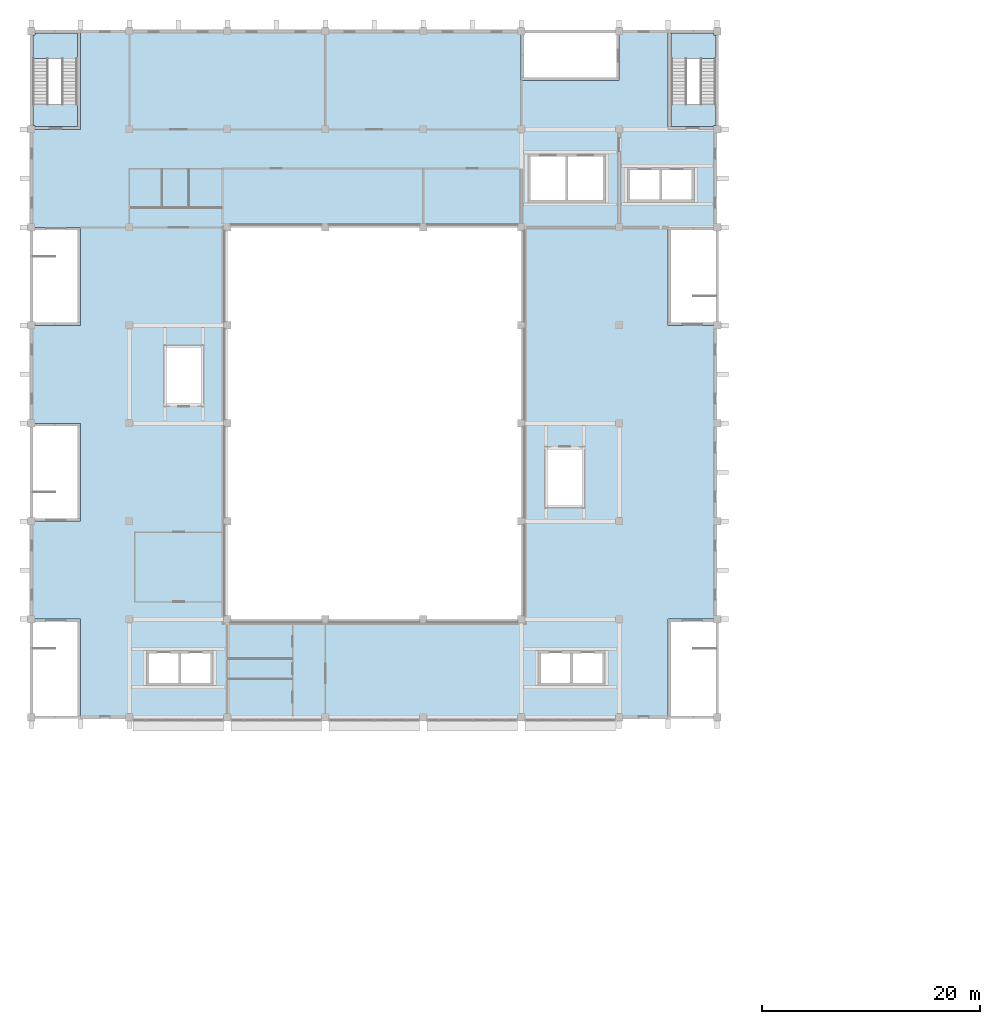
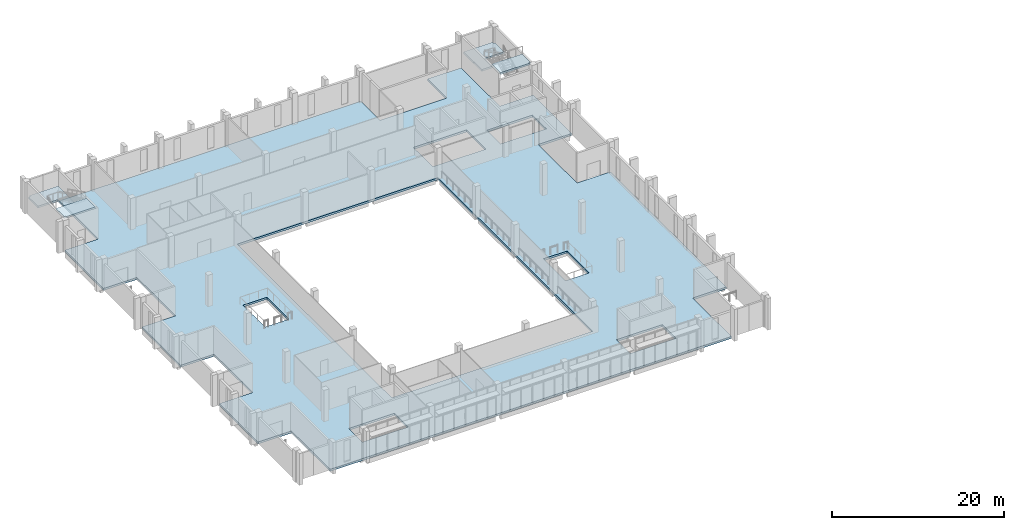
# One storey, part 18 of 40: 5 slabs, 2 elements without a shape of their own.
"""IFC4 building model written with IfcOpenShell, lengths in metres."""

from ifc_helpers import new_model, si_unit, direction, frame, origin, place, context, subcontext, project, spatial, polyline, outline, extrude, material, layer, layer_set, type_object, element, aggregate, save


model = new_model("IFC4")

# Units and contexts
model_context = context("Model", 3, precision=1e-05, world=origin(), true_north=direction((0.0, 1.0)))
body_context = subcontext(model_context, "Body", "Model", "MODEL_VIEW")
ifc_project = project(units=[si_unit("LENGTHUNIT", "METRE"), si_unit("AREAUNIT", "SQUARE_METRE"), si_unit("VOLUMEUNIT", "CUBIC_METRE"), si_unit("PLANEANGLEUNIT", "RADIAN"), si_unit("MASSUNIT", "GRAM", prefix="KILO")], contexts=[model_context])

# Site, building, storey
site_placement = place(None, origin())
site = spatial("IfcSite", under=ifc_project, at=site_placement, CompositionType="ELEMENT")
building_placement = place(site_placement, origin())
building = spatial("IfcBuilding", under=site, at=building_placement, Name="Guidao Yard Department Store", CompositionType="ELEMENT")
storey_placement = place(building_placement, frame((0.0, 0.0, 24.0)))
storey = spatial("IfcBuildingStorey", under=building, at=storey_placement, Name="L05", CompositionType="ELEMENT", Elevation=24.0)

# Slab
ifc_material_1 = material(Name="Concrete C35", Category="concrete")
ifc_layer_1 = layer(ifc_material_1, 0.300048828125)
ifc_layer_set_1 = layer_set([ifc_layer_1], Name="Flat slab 300 C35")
slab_type_1 = type_object("IfcSlabType", Name="Flat slab 300 C35", PredefinedType="FLOOR", material=ifc_layer_set_1)
slab_1_placement = place(storey_placement, frame((0.0, 0.0, -0.300048828125)))
element("IfcSlab", 1, at=slab_1_placement, inside=storey, type_object=slab_type_1, Name="Slab L05-H", PredefinedType="FLOOR", context=body_context, shape_type="SweptSolid", body=[
    extrude(outline(polyline([(58.5, 54.0), (58.5, 45.0), (4.5, 45.0), (4.5, 54.0), (0.0, 54.0), (0.0, 63.0), (4.5, 63.0), (4.5, 72.0), (0.0, 72.0), (0.0, 81.0), (4.5, 81.0), (4.5, 90.0), (0.0, 90.0), (0.0, 99.0), (4.5, 99.0), (4.5, 108.0), (45.0, 108.0), (45.0, 103.5), (54.0, 103.5), (54.0, 108.0), (58.5, 108.0), (58.5, 99.0), (63.0, 99.0), (63.0, 90.0), (58.5, 90.0), (58.5, 81.0), (63.0, 81.0), (63.0, 54.0), (58.5, 54.0)]), holes=[polyline([(13.5, 47.89990234375), (13.75, 47.89990234375), (16.699951171875, 47.89990234375), (16.699951171875, 51.10009765625), (13.75, 51.10009765625), (13.5, 51.10009765625), (10.550048828125, 51.10009765625), (10.550048828125, 47.89990234375), (13.5, 47.89990234375)]), polyline([(46.550048828125, 47.89990234375), (49.5, 47.89990234375), (49.75, 47.89990234375), (52.699951171875, 47.89990234375), (52.699951171875, 51.10009765625), (49.75, 51.10009765625), (49.5, 51.10009765625), (46.550048828125, 51.10009765625), (46.550048828125, 47.89990234375)]), polyline([(47.39990234375, 69.593994140625), (47.39990234375, 64.4560546875), (50.60009765625, 64.4560546875), (50.60009765625, 69.593994140625), (47.39990234375, 69.593994140625)]), polyline([(18.0, 54.0), (45.0, 54.0), (45.0, 90.0), (18.0, 90.0), (18.0, 54.0)]), polyline([(12.39990234375, 78.944091796875), (12.39990234375, 73.805908203125), (15.60009765625, 73.805908203125), (15.60009765625, 78.944091796875), (12.39990234375, 78.944091796875)]), polyline([(54.75, 92.300048828125), (57.699951171875, 92.300048828125), (57.949951171875, 92.300048828125), (60.89990234375, 92.300048828125), (60.89990234375, 95.5), (57.949951171875, 95.5), (57.699951171875, 95.5), (54.75, 95.5), (54.75, 92.300048828125)]), polyline([(52.75, 92.25), (52.75, 96.75), (49.300048828125, 96.75), (49.050048828125, 96.75), (45.60009765625, 96.75), (45.60009765625, 92.25), (49.050048828125, 92.25), (49.300048828125, 92.25), (52.75, 92.25)])]), origin(), (0.0, 0.0, 1.0), 0.300048828125),
])

# Stair, slabs
ifc_material_2 = material(Name="Concrete C35", Category="concrete")
stair_type = type_object("IfcStairType", Name="Stair half-turn two-flight 1400 wide 4.5 m rise", PredefinedType="HALF_TURN_STAIR", material=ifc_material_2)
stair_1_placement = place(storey_placement, origin())
stair_1 = element("IfcStair", 2, at=stair_1_placement, inside=storey, type_object=stair_type, Name="Stair A5 L05 to L06", PredefinedType="HALF_TURN_STAIR")
ifc_material_3 = material(Name="Concrete C35", Category="concrete")
ifc_layer_2 = layer(ifc_material_3, 0.25)
ifc_layer_set_2 = layer_set([ifc_layer_2], Name="Stair landing RC 250 C35")
slab_type_2 = type_object("IfcSlabType", Name="Stair landing RC 250 C35", PredefinedType="LANDING", material=ifc_layer_set_2)
slab_2_placement = place(storey_placement, frame((0.0, 0.0, 2.0)))
slab_2 = element("IfcSlab", 3, at=slab_2_placement, type_object=slab_type_2, Name="SA5-L05 landing 1", PredefinedType="LANDING", context=body_context, shape_type="SweptSolid", body=[
    extrude(outline(polyline([(2.800048828125, 105.5), (1.52490234375, 105.5), (1.52490234375, 105.489990234375), (0.125, 105.489990234375), (0.125, 105.5), (0.125, 107.64990234375), (0.35009765625, 107.64990234375), (0.35009765625, 107.875), (4.25, 107.875), (4.25, 105.5), (4.199951171875, 105.5), (4.199951171875, 103.669921875), (2.800048828125, 103.669921875), (2.800048828125, 105.5)])), origin(), (0.0, 0.0, 1.0), 0.25),
])
slab_3_placement = place(storey_placement, frame((0.0, 0.0, 4.25)))
slab_3 = element("IfcSlab", 4, at=slab_3_placement, type_object=slab_type_2, Name="SA5-L05 landing 2", PredefinedType="LANDING", context=body_context, shape_type="SweptSolid", body=[
    extrude(outline(polyline([(2.800048828125, 101.300048828125), (2.800048828125, 101.31005859375), (4.25, 101.31005859375), (4.25, 99.25), (2.800048828125, 99.25), (0.35009765625, 99.25), (0.35009765625, 99.35009765625), (0.125, 99.35009765625), (0.125, 101.300048828125), (2.800048828125, 101.300048828125)])), origin(), (0.0, 0.0, 1.0), 0.25),
])
aggregate(stair_1, [slab_2, slab_3])

stair_2_placement = place(storey_placement, origin())
stair_2 = element("IfcStair", 5, at=stair_2_placement, inside=storey, type_object=stair_type, Name="Stair A6 L05 to L06", PredefinedType="HALF_TURN_STAIR")
slab_4_placement = place(storey_placement, frame((0.0, 0.0, 2.0)))
slab_4 = element("IfcSlab", 6, at=slab_4_placement, type_object=slab_type_2, Name="SA6-L05 landing 1", PredefinedType="LANDING", context=body_context, shape_type="SweptSolid", body=[
    extrude(outline(polyline([(58.800048828125, 105.5), (58.75, 105.5), (58.75, 107.875), (62.64990234375, 107.875), (62.64990234375, 107.64990234375), (62.875, 107.64990234375), (62.875, 105.5), (62.875, 105.489990234375), (61.47509765625, 105.489990234375), (61.47509765625, 105.5), (60.199951171875, 105.5), (60.199951171875, 103.669921875), (58.800048828125, 103.669921875), (58.800048828125, 105.5)])), origin(), (0.0, 0.0, 1.0), 0.25),
])
slab_5_placement = place(storey_placement, frame((0.0, 0.0, 4.25)))
slab_5 = element("IfcSlab", 7, at=slab_5_placement, type_object=slab_type_2, Name="SA6-L05 landing 2", PredefinedType="LANDING", context=body_context, shape_type="SweptSolid", body=[
    extrude(outline(polyline([(62.64990234375, 99.35009765625), (62.64990234375, 99.25), (60.199951171875, 99.25), (58.75, 99.25), (58.75, 101.31005859375), (60.199951171875, 101.31005859375), (60.199951171875, 101.300048828125), (62.875, 101.300048828125), (62.875, 99.35009765625), (62.64990234375, 99.35009765625)])), origin(), (0.0, 0.0, 1.0), 0.25),
])
aggregate(stair_2, [slab_4, slab_5])

save(model, "model.ifc")
